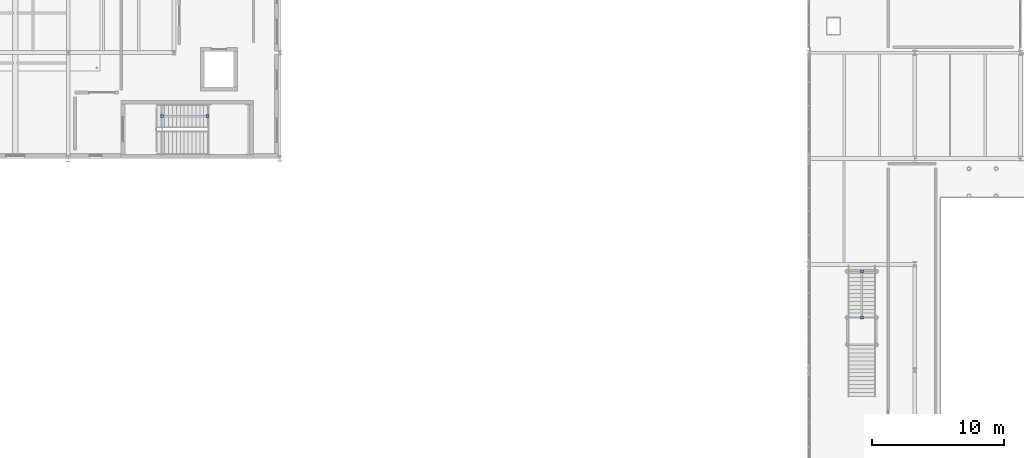
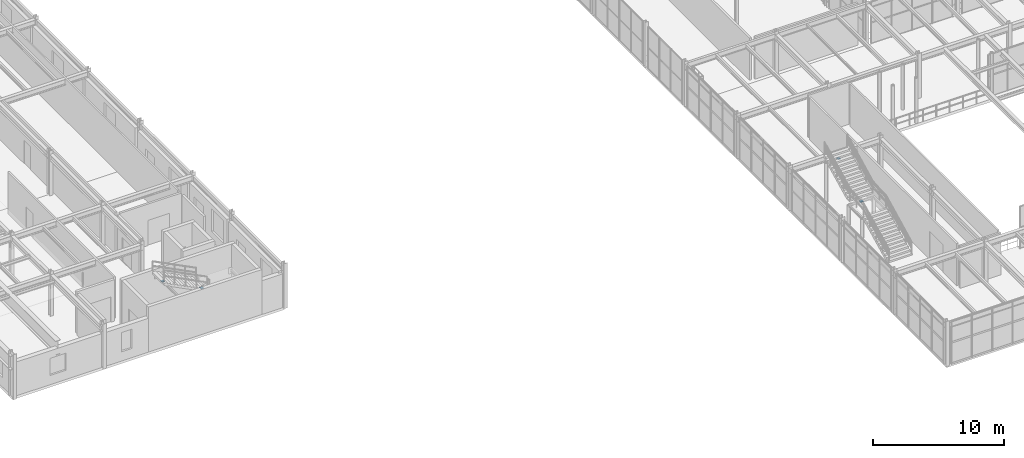
# One storey, part 103 of 122: 4 discrete accessories.
"""IFC4 building model written with IfcOpenShell, lengths in metres."""

from ifc_helpers import new_model, si_unit, direction, frame, origin, origin_2d, place, context, subcontext, project, spatial, rectangle, extrude, material, type_object, element, save


model = new_model("IFC4")

# Units and contexts
model_context = context("Model", 3, precision=1e-05, world=origin(), true_north=direction((0.0, 1.0)))
body_context = subcontext(model_context, "Body", "Model", "MODEL_VIEW")
ifc_project = project(units=[si_unit("LENGTHUNIT", "METRE"), si_unit("AREAUNIT", "SQUARE_METRE"), si_unit("VOLUMEUNIT", "CUBIC_METRE"), si_unit("PLANEANGLEUNIT", "RADIAN"), si_unit("MASSUNIT", "GRAM", prefix="KILO")], contexts=[model_context])

# Site, building, storey
site_placement = place(None, origin())
site = spatial("IfcSite", under=ifc_project, at=site_placement, CompositionType="ELEMENT")
building_placement = place(site_placement, origin())
building = spatial("IfcBuilding", under=site, at=building_placement, Name="Sundkrona Museum", CompositionType="ELEMENT")
storey_placement = place(building_placement, frame((0.0, 0.0, 5.39990234375)))
storey = spatial("IfcBuildingStorey", under=building, at=storey_placement, Name="L01", CompositionType="ELEMENT", Elevation=5.39990234375)

# Discrete accessories
ifc_material = material(Name="Stainless Steel EN 1.4404 Cleat", Category="steel")
discrete_accessory_type = type_object("IfcDiscreteAccessoryType", Name="BRK-FIN-01", PredefinedType="BRACKET", material=ifc_material)
for number, where, z_axis, x_axis, name in (
    (1, (34.534912109375, 35.199951171875, 1.767578125), (0.0, 0.0, 1.0), (1.0, 0.0, 0.0), "Brace and Strut End Connection Plate RK-ST-ST-4-L01-2-1"),
    (2, (31.10009765625, 35.199951171875, 3.60107421875), (0.0, 0.0, 1.0), (1.0, 0.0, 0.0), "Brace and Strut End Connection Plate RK-ST-ST-4-L01-2-2"),
    (3, (84.0, 19.97998046875, 1.767578125), (0.0, 0.0, 1.0), (1.0, 0.0, 0.0), "Brace and Strut End Connection Plate RK-FS-2-FL2-1"),
    (4, (84.0, 23.449951171875, 3.647705078125), (0.0, 0.0, 1.0), (1.0, 0.0, 0.0), "Brace and Strut End Connection Plate RK-FS-2-FL2-2"),
):
    element("IfcDiscreteAccessory", number, at=place(storey_placement, frame(where, z_axis=z_axis, x_axis=x_axis)), inside=storey, type_object=discrete_accessory_type, Name=name, PredefinedType="BRACKET", context=body_context, shape_type="SweptSolid", body=[
        extrude(rectangle(XDim=0.239990234375, YDim=0.239990234375, at=origin_2d()), origin(), (0.0, 0.0, 1.0), 0.02490234375),
    ])

save(model, "model.ifc")
